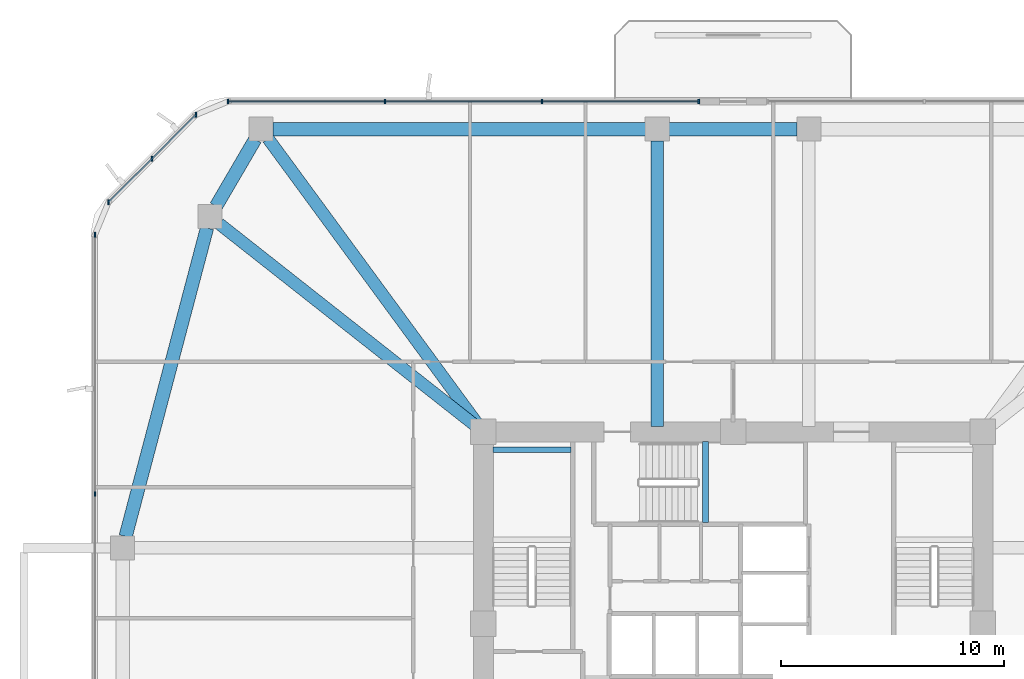
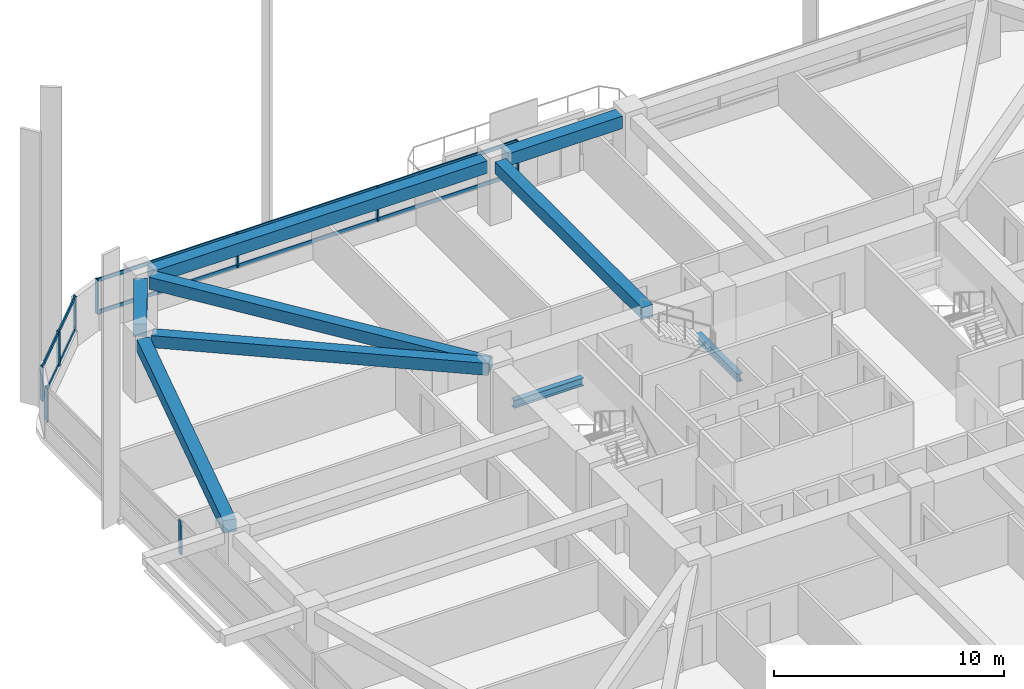
# One storey, part 6 of 17: 13 members, 9 beams, 3 elements without a shape of their own.
"""IFC4 building model written with IfcOpenShell, lengths in metres."""

from ifc_helpers import new_model, si_unit, derived_unit, direction, frame, origin, origin_2d, place, context, subcontext, project, spatial, rectangle, i_section, extrude, material, material_profile, profile_set, type_object, element, aggregate, save


model = new_model("IFC4")

# Units and contexts
model_context = context("Model", 3, precision=1e-05, world=origin(), true_north=direction((0.0, 1.0)))
body_context = subcontext(model_context, "Body", "Model", "MODEL_VIEW")
ifc_project = project(units=[si_unit("LENGTHUNIT", "METRE"), si_unit("AREAUNIT", "SQUARE_METRE"), si_unit("VOLUMEUNIT", "CUBIC_METRE"), si_unit("PLANEANGLEUNIT", "RADIAN"), si_unit("MASSUNIT", "GRAM", prefix="KILO"), derived_unit("THERMALTRANSMITTANCEUNIT", [(si_unit("POWERUNIT", "WATT"), 1), (si_unit("LENGTHUNIT", "METRE"), -2), (si_unit("THERMODYNAMICTEMPERATUREUNIT", "KELVIN"), -1)])], contexts=[model_context])

# Site, building, storey
site_placement = place(None, origin())
site = spatial("IfcSite", under=ifc_project, at=site_placement, CompositionType="ELEMENT")
building_placement = place(site_placement, origin())
building = spatial("IfcBuilding", under=site, at=building_placement, Name="Koralith Skygarden Medical Center", CompositionType="ELEMENT")
storey_placement = place(building_placement, frame((0.0, 0.0, 52.739990234375)))
storey = spatial("IfcBuildingStorey", under=building, at=storey_placement, Name="L13", CompositionType="ELEMENT", Elevation=52.739990234375)

# Curtain wall, members
ifc_material_1 = material(Name="Clear Laminated Glass", Category="glass")
curtain_wall_type = type_object("IfcCurtainWallType", Name="CW-2 Zone 1 Hurricane Unitised Curtain Wall", PredefinedType="NOTDEFINED", material=ifc_material_1)
curtain_wall_1_placement = place(storey_placement, origin())
curtain_wall_1 = element("IfcCurtainWall", 1, at=curtain_wall_1_placement, inside=storey, type_object=curtain_wall_type, Name="Curtain Wall CW-L13-N-R", PredefinedType="NOTDEFINED")
ifc_material_2 = material(Name="Aluminium 6063-T6", Category="aluminium")
ifc_material_profile_1 = material_profile(ifc_material_2, rectangle(XDim=0.071044921875, YDim=0.219970703125, at=origin_2d()), Name="MUL71X220")
ifc_profile_set_1 = profile_set([ifc_material_profile_1], Name="Aluminium 6063-T6")
member_type_1 = type_object("IfcMemberType", Name="CW-2 Extruded Mullion 71x220", PredefinedType="MULLION", material=ifc_profile_set_1)
member_1_placement = place(storey_placement, frame((35.4599609375, 49.320068359375, 0.85009765625), z_axis=(0.0, 0.0, 1.0), x_axis=(1.0, 0.0, 0.0)))
member_1 = element("IfcMember", 2, at=member_1_placement, type_object=member_type_1, Name="CW-L13-N-R Mullion 1", PredefinedType="MULLION", context=body_context, shape_type="SweptSolid", body=[
    extrude(rectangle(XDim=0.071044921875, YDim=0.219970703125, at=origin_2d()), origin(), (0.0, 0.0, 1.0), 1.7998046875),
])
member_2_placement = place(storey_placement, frame((28.425048828125, 49.320068359375, 0.85009765625), z_axis=(0.0, 0.0, 1.0), x_axis=(1.0, 0.0, 0.0)))
member_2 = element("IfcMember", 3, at=member_2_placement, type_object=member_type_1, Name="CW-L13-N-R Mullion 2", PredefinedType="MULLION", context=body_context, shape_type="SweptSolid", body=[
    extrude(rectangle(XDim=0.071044921875, YDim=0.219970703125, at=origin_2d()), origin(), (0.0, 0.0, 1.0), 1.7998046875),
])
member_3_placement = place(storey_placement, frame((21.389892578125, 49.320068359375, 0.85009765625), z_axis=(0.0, 0.0, 1.0), x_axis=(1.0, 0.0, 0.0)))
member_3 = element("IfcMember", 4, at=member_3_placement, type_object=member_type_1, Name="CW-L13-N-R Mullion 3", PredefinedType="MULLION", context=body_context, shape_type="SweptSolid", body=[
    extrude(rectangle(XDim=0.071044921875, YDim=0.219970703125, at=origin_2d()), origin(), (0.0, 0.0, 1.0), 1.7998046875),
])
member_4_placement = place(storey_placement, frame((14.35498046875, 49.320068359375, 0.85009765625), z_axis=(0.0, 0.0, 1.0), x_axis=(1.0, 0.0, 0.0)))
member_4 = element("IfcMember", 5, at=member_4_placement, type_object=member_type_1, Name="CW-L13-N-R Mullion 4", PredefinedType="MULLION", context=body_context, shape_type="SweptSolid", body=[
    extrude(rectangle(XDim=0.071044921875, YDim=0.219970703125, at=origin_2d()), origin(), (0.0, 0.0, 1.0), 1.7998046875),
])

curtain_wall_2_placement = place(storey_placement, origin())
curtain_wall_2 = element("IfcCurtainWall", 6, at=curtain_wall_2_placement, inside=storey, type_object=curtain_wall_type, Name="Curtain Wall CW-L13-NW", PredefinedType="NOTDEFINED")
member_5_placement = place(storey_placement, frame((12.904052734375, 48.718994140625, 0.85009765625), z_axis=(0.0, 0.0, 1.0), x_axis=(1.0, 0.0, 0.0)))
member_5 = element("IfcMember", 7, at=member_5_placement, type_object=member_type_1, Name="CW-L13-NW Mullion 1", PredefinedType="MULLION", context=body_context, shape_type="SweptSolid", body=[
    extrude(rectangle(XDim=0.071044921875, YDim=0.219970703125, at=origin_2d()), origin(), (0.0, 0.0, 1.0), 1.7998046875),
])
member_6_placement = place(storey_placement, frame((10.94189453125, 46.758056640625, 0.85009765625), z_axis=(0.0, 0.0, 1.0), x_axis=(1.0, 0.0, 0.0)))
member_6 = element("IfcMember", 8, at=member_6_placement, type_object=member_type_1, Name="CW-L13-NW Mullion 2", PredefinedType="MULLION", context=body_context, shape_type="SweptSolid", body=[
    extrude(rectangle(XDim=0.071044921875, YDim=0.219970703125, at=origin_2d()), origin(), (0.0, 0.0, 1.0), 1.7998046875),
])
member_7_placement = place(storey_placement, frame((8.98095703125, 44.7958984375, 0.85009765625), z_axis=(0.0, 0.0, 1.0), x_axis=(1.0, 0.0, 0.0)))
member_7 = element("IfcMember", 9, at=member_7_placement, type_object=member_type_1, Name="CW-L13-NW Mullion 3", PredefinedType="MULLION", context=body_context, shape_type="SweptSolid", body=[
    extrude(rectangle(XDim=0.071044921875, YDim=0.219970703125, at=origin_2d()), origin(), (0.0, 0.0, 1.0), 1.7998046875),
])

curtain_wall_3_placement = place(storey_placement, origin())
curtain_wall_3 = element("IfcCurtainWall", 10, at=curtain_wall_3_placement, inside=storey, type_object=curtain_wall_type, Name="Curtain Wall CW-L13-W", PredefinedType="NOTDEFINED")
member_8_placement = place(storey_placement, frame((8.3798828125, 43.344970703125, 0.85009765625), z_axis=(0.0, 0.0, 1.0), x_axis=(1.0, 0.0, 0.0)))
member_8 = element("IfcMember", 11, at=member_8_placement, type_object=member_type_1, Name="CW-L13-W Mullion 1", PredefinedType="MULLION", context=body_context, shape_type="SweptSolid", body=[
    extrude(rectangle(XDim=0.071044921875, YDim=0.219970703125, at=origin_2d()), origin(), (0.0, 0.0, 1.0), 1.7998046875),
])
member_9_placement = place(storey_placement, frame((8.3798828125, 31.715087890625, 0.85009765625), z_axis=(0.0, 0.0, 1.0), x_axis=(1.0, 0.0, 0.0)))
member_9 = element("IfcMember", 12, at=member_9_placement, type_object=member_type_1, Name="CW-L13-W Mullion 2", PredefinedType="MULLION", context=body_context, shape_type="SweptSolid", body=[
    extrude(rectangle(XDim=0.071044921875, YDim=0.219970703125, at=origin_2d()), origin(), (0.0, 0.0, 1.0), 1.7998046875),
])
aggregate(curtain_wall_3, [member_8, member_9])

# Member
ifc_material_profile_2 = material_profile(ifc_material_2, rectangle(XDim=0.06591796875, YDim=0.197998046875, at=origin_2d()), Name="TRN66X198")
ifc_profile_set_2 = profile_set([ifc_material_profile_2], Name="Aluminium 6063-T6")
member_type_2 = type_object("IfcMemberType", Name="CW-2 Thermal Transom 66x198", PredefinedType="USERDEFINED", material=ifc_profile_set_2)
member_10_placement = place(storey_placement, frame((35.4599609375, 49.320068359375, 0.89990234375), z_axis=(-1.0, 0.0, 0.0), x_axis=(0.0, -1.0, 0.0)))
member_10 = element("IfcMember", 13, at=member_10_placement, type_object=member_type_2, Name="CW-L13-N-R Transom 1", ObjectType="TRANSOM", PredefinedType="USERDEFINED", context=body_context, shape_type="SweptSolid", body=[
    extrude(rectangle(XDim=0.06591796875, YDim=0.197998046875, at=origin_2d()), origin(), (0.0, 0.0, 1.0), 21.10498046875),
])

member_11_placement = place(storey_placement, frame((35.4599609375, 49.320068359375, 2.60009765625), z_axis=(-1.0, 0.0, 0.0), x_axis=(0.0, -1.0, 0.0)))
member_11 = element("IfcMember", 14, at=member_11_placement, type_object=member_type_2, Name="CW-L13-N-R Transom 2", ObjectType="TRANSOM", PredefinedType="USERDEFINED", context=body_context, shape_type="SweptSolid", body=[
    extrude(rectangle(XDim=0.06591796875, YDim=0.197998046875, at=origin_2d()), origin(), (0.0, 0.0, 1.0), 21.10498046875),
])

aggregate(curtain_wall_1, [member_1, member_2, member_3, member_4, member_10, member_11])

member_12_placement = place(storey_placement, frame((12.904052734375, 48.718994140625, 0.89990234375), z_axis=(-0.707106781187, -0.707106781187, 0.0), x_axis=(0.707106781187, -0.707106781187, 0.0)))
member_12 = element("IfcMember", 15, at=member_12_placement, type_object=member_type_2, Name="CW-L13-NW Transom 1", ObjectType="TRANSOM", PredefinedType="USERDEFINED", context=body_context, shape_type="SweptSolid", body=[
    extrude(rectangle(XDim=0.06591796875, YDim=0.197998046875, at=origin_2d()), origin(), (0.0, 0.0, 1.0), 5.548095703125),
])

member_13_placement = place(storey_placement, frame((12.904052734375, 48.718994140625, 2.60009765625), z_axis=(-0.707106781187, -0.707106781187, 0.0), x_axis=(0.707106781187, -0.707106781187, 0.0)))
member_13 = element("IfcMember", 16, at=member_13_placement, type_object=member_type_2, Name="CW-L13-NW Transom 2", ObjectType="TRANSOM", PredefinedType="USERDEFINED", context=body_context, shape_type="SweptSolid", body=[
    extrude(rectangle(XDim=0.06591796875, YDim=0.197998046875, at=origin_2d()), origin(), (0.0, 0.0, 1.0), 5.548095703125),
])

aggregate(curtain_wall_2, [member_5, member_6, member_7, member_12, member_13])

# Beams
ifc_material_3 = material(Name="Steel ASTM A992 Grade 50", Category="steel")
ifc_material_profile_3 = material_profile(ifc_material_3, i_section(OverallWidth=0.260009765625, OverallDepth=0.4150390625, WebThickness=0.010009765625, FlangeThickness=0.016845703125, at=origin_2d()), Name="W16X67")
ifc_profile_set_3 = profile_set([ifc_material_profile_3], Name="Steel ASTM A992 Grade 50")
beam_type_1 = type_object("IfcBeamType", Name="Clinical Floor Joist W16X67", PredefinedType="JOIST", material=ifc_profile_set_3)
beam_1_placement = place(storey_placement, frame((26.22998046875, 33.699951171875, 1.39208984375), z_axis=(1.0, 0.0, 0.0), x_axis=(0.0, 1.0, 0.0)))
element("IfcBeam", 17, at=beam_1_placement, inside=storey, type_object=beam_type_1, Name="L13 Stair ST1 Half-Landing Support Beam 1B", PredefinedType="JOIST", context=body_context, shape_type="SweptSolid", body=[
    extrude(i_section(OverallWidth=0.260009765625, OverallDepth=0.4150390625, WebThickness=0.010009765625, FlangeThickness=0.016845703125, at=origin_2d()), origin(), (0.0, 0.0, 1.0), 3.489990234375),
])
beam_2_placement = place(storey_placement, frame((35.760009765625, 30.43994140625, 1.39208984375), z_axis=(0.0, 1.0, 0.0), x_axis=(-1.0, 0.0, 0.0)))
element("IfcBeam", 18, at=beam_2_placement, inside=storey, type_object=beam_type_1, Name="L13 Stair ST3 Half-Landing Support Beam 1A", PredefinedType="JOIST", context=body_context, shape_type="SweptSolid", body=[
    extrude(i_section(OverallWidth=0.260009765625, OverallDepth=0.4150390625, WebThickness=0.010009765625, FlangeThickness=0.016845703125, at=origin_2d()), origin(), (0.0, 0.0, 1.0), 3.630126953125),
])
ifc_material_4 = material(Name="Concrete C45/55", Category="concrete")
ifc_material_profile_4 = material_profile(ifc_material_4, rectangle(XDim=0.550048828125, YDim=0.639892578125, at=origin_2d()), Name="RCB550X640")
ifc_profile_set_4 = profile_set([ifc_material_profile_4], Name="Concrete C45/55")
beam_type_2 = type_object("IfcBeamType", Name="Radial Collector Beam RCB550X640", PredefinedType="BEAM", material=ifc_profile_set_4)
beam_3_placement = place(storey_placement, frame((33.60009765625, 34.75, 3.0), z_axis=(0.0, 1.0, 0.0), x_axis=(-1.0, 0.0, 0.0)))
element("IfcBeam", 19, at=beam_3_placement, inside=storey, type_object=beam_type_2, Name="L13 Radial Collector Beam RB-13", PredefinedType="BEAM", context=body_context, shape_type="SweptSolid", body=[
    extrude(rectangle(XDim=0.550048828125, YDim=0.639892578125, at=origin_2d()), origin(), (0.0, 0.0, 1.0), 12.800048828125),
])
beam_4_placement = place(storey_placement, frame((25.652099609375, 34.701904296875, 3.0), z_axis=(-0.591710803277, 0.806150311843, 0.0), x_axis=(-0.806150311843, -0.591710803277, 0.0)))
element("IfcBeam", 20, at=beam_4_placement, inside=storey, type_object=beam_type_2, Name="L13 Radial Collector Beam RB-14", PredefinedType="BEAM", context=body_context, shape_type="SweptSolid", body=[
    extrude(rectangle(XDim=0.550048828125, YDim=0.639892578125, at=origin_2d()), origin(), (0.0, 0.0, 1.0), 16.0654296875),
])
beam_5_placement = place(storey_placement, frame((25.60400390625, 34.655029296875, 3.0), z_axis=(-0.785497250365, 0.618865146594, 0.0), x_axis=(-0.618865146594, -0.785497250365, 0.0)))
element("IfcBeam", 21, at=beam_5_placement, inside=storey, type_object=beam_type_2, Name="L13 Radial Collector Beam RB-15", PredefinedType="BEAM", context=body_context, shape_type="SweptSolid", body=[
    extrude(rectangle(XDim=0.550048828125, YDim=0.639892578125, at=origin_2d()), origin(), (0.0, 0.0, 1.0), 14.828857421875),
])
ifc_material_profile_5 = material_profile(ifc_material_4, rectangle(XDim=0.60009765625, YDim=0.659912109375, at=origin_2d()), Name="RCB600X660")
ifc_profile_set_5 = profile_set([ifc_material_profile_5], Name="Concrete C45/55")
beam_type_3 = type_object("IfcBeamType", Name="Zone 1 Spandrel Beam RCB600X660", PredefinedType="SPANDREL", material=ifc_profile_set_5)
beam_6_placement = place(storey_placement, frame((39.8701171875, 48.080078125, 2.989990234375), z_axis=(-1.0, 0.0, 0.0), x_axis=(0.0, -1.0, 0.0)))
element("IfcBeam", 22, at=beam_6_placement, inside=storey, type_object=beam_type_3, Name="L13 Perimeter Spandrel Beam SP-12", PredefinedType="SPANDREL", context=body_context, shape_type="SweptSolid", body=[
    extrude(rectangle(XDim=0.60009765625, YDim=0.659912109375, at=origin_2d()), origin(), (0.0, 0.0, 1.0), 5.740234375),
])
beam_7_placement = place(storey_placement, frame((33.070068359375, 48.080078125, 2.989990234375), z_axis=(-1.0, 0.0, 0.0), x_axis=(0.0, -1.0, 0.0)))
element("IfcBeam", 23, at=beam_7_placement, inside=storey, type_object=beam_type_3, Name="L13 Perimeter Spandrel Beam SP-13", PredefinedType="SPANDREL", context=body_context, shape_type="SweptSolid", body=[
    extrude(rectangle(XDim=0.60009765625, YDim=0.659912109375, at=origin_2d()), origin(), (0.0, 0.0, 1.0), 16.7080078125),
])
beam_8_placement = place(storey_placement, frame((15.56396484375, 47.6220703125, 2.989990234375), z_axis=(-0.504608092658, -0.863348523381, 0.0), x_axis=(0.863348523381, -0.504608092658, 0.0)))
element("IfcBeam", 24, at=beam_8_placement, inside=storey, type_object=beam_type_3, Name="L13 Perimeter Spandrel Beam SP-14", PredefinedType="SPANDREL", context=body_context, shape_type="SweptSolid", body=[
    extrude(rectangle(XDim=0.60009765625, YDim=0.659912109375, at=origin_2d()), origin(), (0.0, 0.0, 1.0), 3.479736328125),
])
beam_9_placement = place(storey_placement, frame((13.405029296875, 43.64794921875, 2.989990234375), z_axis=(-0.255088684842, -0.966917660851, 0.0), x_axis=(0.966917660851, -0.255088684842, 0.0)))
element("IfcBeam", 25, at=beam_9_placement, inside=storey, type_object=beam_type_3, Name="L13 Perimeter Spandrel Beam SP-15", PredefinedType="SPANDREL", context=body_context, shape_type="SweptSolid", body=[
    extrude(rectangle(XDim=0.60009765625, YDim=0.659912109375, at=origin_2d()), origin(), (0.0, 0.0, 1.0), 14.309326171875),
])

save(model, "model.ifc")
